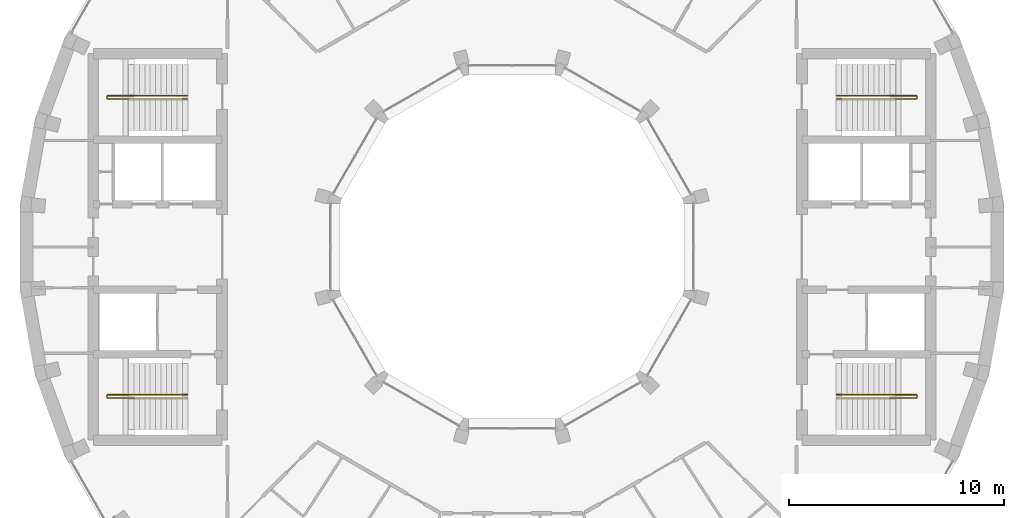
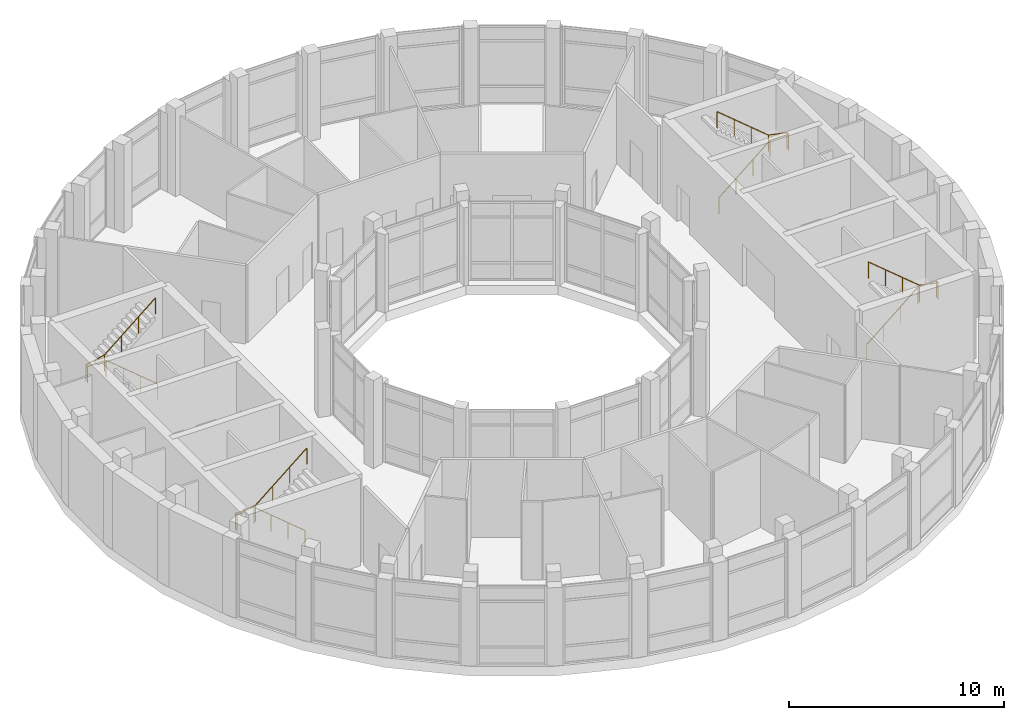
# One storey, part 16 of 16: 4 railings.
"""IFC4 building model written with IfcOpenShell, lengths in metres."""

import ifcopenshell
import ifcopenshell.guid

model = None  # the IFC model being written
_history = None  # IfcOwnerHistory: only IFC2X3 demands one
_inside = {}  # id of a spatial element -> (the spatial element, [elements in it])
_under = {}  # id of a project, library or spatial element -> (it, [spatial elements below it])
_declared = {}  # id of a project -> (the project, [libraries it declares])
_typed = {}  # id of a type object -> (the type object, [elements of that type])
_made_of = {}  # id of a material, layer set ... -> (it, [elements and type objects made of it])


def new_model(schema):
    """Start an empty IFC model of exactly this schema.

    Asked for "IFC4X3", IfcOpenShell would pick the latest addendum, in which some entities
    have other attributes; the version numbers below select the first issue.
    IFC2X3 requires an IfcOwnerHistory on every rooted entity: one is made here for all.
    """
    global model, _history
    if schema == "IFC4X3":
        model = ifcopenshell.file(schema_version=(4, 3, 0, 0))
    else:
        model = ifcopenshell.file(schema=schema)
    _inside.clear()
    _under.clear()
    _declared.clear()
    _typed.clear()
    _made_of.clear()
    _history = None
    if model.schema == "IFC2X3":
        org = make("IfcOrganization", Name="unknown")
        user = make(
            "IfcPersonAndOrganization",
            ThePerson=make("IfcPerson", FamilyName="unknown"),
            TheOrganization=org,
        )
        app = make(
            "IfcApplication",
            ApplicationDeveloper=org,
            Version="unknown",
            ApplicationFullName="unknown",
            ApplicationIdentifier="unknown",
        )
        _history = make(
            "IfcOwnerHistory",
            OwningUser=user,
            OwningApplication=app,
            ChangeAction="ADDED",
            CreationDate=0,
        )
    return model


def make(cls, **values):
    """One entity of the class cls with the attributes given. An attribute that is None is left unset."""
    return model.create_entity(
        cls, **{name: value for name, value in values.items() if value is not None}
    )


def rooted(cls, **values):
    """An entity with a GlobalId (a new one), such as an element, a storey or a relation."""
    return make(cls, GlobalId=ifcopenshell.guid.new(), OwnerHistory=_history, **values)


def si_unit(unit_type, name, prefix=None):
    """IfcSIUnit, for example si_unit("LENGTHUNIT", "METRE", prefix="MILLI")."""
    return make("IfcSIUnit", UnitType=unit_type, Prefix=prefix, Name=name)


def assignment(units):
    """IfcUnitAssignment: the units of a project."""
    return None if units is None else make("IfcUnitAssignment", Units=units)


def point(xyz):
    """IfcCartesianPoint."""
    return None if xyz is None else make("IfcCartesianPoint", Coordinates=xyz)


def direction(xyz):
    """IfcDirection."""
    return None if xyz is None else make("IfcDirection", DirectionRatios=xyz)


def frame(location, z_axis=None, x_axis=None):
    """IfcAxis2Placement3D, a coordinate frame: its origin and axes. An axis left out is left unset."""
    return make(
        "IfcAxis2Placement3D",
        Location=point(location),
        Axis=direction(z_axis),
        RefDirection=direction(x_axis),
    )


def frame_2d(location, x_axis=None):
    """IfcAxis2Placement2D, a coordinate frame in the plane: its origin and x axis."""
    return make(
        "IfcAxis2Placement2D", Location=point(location), RefDirection=direction(x_axis)
    )


def origin():
    """The frame at (0, 0, 0) with its axes left unset."""
    return frame((0.0, 0.0, 0.0))


def origin_2d():
    """The frame at (0, 0) in the plane with its x axis left unset."""
    return frame_2d((0.0, 0.0))


def place(relative_to, where):
    """IfcLocalPlacement: puts the frame where relative to a parent placement (None: the world)."""
    return make(
        "IfcLocalPlacement", PlacementRelTo=relative_to, RelativePlacement=where
    )


def context(
    kind, dimensions, precision=None, world=None, true_north=None, identifier=None
):
    """IfcGeometricRepresentationContext, for example the 3D "Model" context."""
    return make(
        "IfcGeometricRepresentationContext",
        ContextIdentifier=identifier,
        ContextType=kind,
        CoordinateSpaceDimension=dimensions,
        Precision=precision,
        WorldCoordinateSystem=world,
        TrueNorth=true_north,
    )


def subcontext(parent, identifier, kind, view, scale=None):
    """IfcGeometricRepresentationSubContext, for example "Body" below "Model"."""
    return make(
        "IfcGeometricRepresentationSubContext",
        ContextIdentifier=identifier,
        ContextType=kind,
        ParentContext=parent,
        TargetScale=scale,
        TargetView=view,
    )


def project(units=None, contexts=None):
    """IfcProject with its units and contexts."""
    return rooted(
        "IfcProject",
        Name="project",
        RepresentationContexts=contexts,
        UnitsInContext=assignment(units),
    )


def spatial(cls, under=None, at=None, **own):
    """A site, building, storey or space (cls), placed at a placement, below another one or the project."""
    s = rooted(cls, ObjectPlacement=at, **own)
    if under is not None:
        _under.setdefault(under.id(), (under, []))[1].append(s)
    return s


def profile(cls, at=None, kind="AREA", **sizes):
    """A parametric profile (cls). Its sizes go by their IFC names, for example OverallWidth=200.0."""
    return make(cls, ProfileType=kind, Position=at, **sizes)


def circle(**sizes):
    """IfcCircleProfileDef."""
    return profile("IfcCircleProfileDef", **sizes)


def extrude(swept, where, along, depth):
    """IfcExtrudedAreaSolid: the profile swept, set in the frame where, extruded along a direction by depth."""
    return make(
        "IfcExtrudedAreaSolid",
        SweptArea=swept,
        Position=where,
        ExtrudedDirection=direction(along),
        Depth=depth,
    )


def shape(context_of_items, identifier, shape_type, items):
    """IfcShapeRepresentation: the items that make up one representation, for example the "Body"."""
    return make(
        "IfcShapeRepresentation",
        ContextOfItems=context_of_items,
        RepresentationIdentifier=identifier,
        RepresentationType=shape_type,
        Items=items,
    )


def material(Name=None, Category=None):
    """IfcMaterial."""
    return make("IfcMaterial", Name=Name, Category=Category)


def made_of(thing, what):
    """Note that an element or type object is made of a material, layer set ...; save() writes the relation."""
    if what is not None:
        _made_of.setdefault(what.id(), (what, []))[1].append(thing)
    return thing


def type_object(cls, material=None, **own):
    """A type object (cls), such as IfcWallType, which elements share."""
    return made_of(rooted(cls, **own), material)


def element(
    cls,
    number,
    at=None,
    inside=None,
    cuts=None,
    type_object=None,
    material=None,
    context=None,
    identifier="Body",
    shape_type=None,
    held_by="IfcProductDefinitionShape",
    body=None,
    shapes=None,
    **own,
):
    """One element of the class cls, such as IfcWall. Its Tag is "e" and its number.

    at: its placement. inside: the storey or other place that contains it. cuts: it is an
    opening in that element (IfcRelVoidsElement). A single representation is given by context,
    identifier, shape_type and body (its items); several are given by shapes. held_by: the class
    of the entity that holds the representations. save() writes the other relations.
    """
    e = rooted(cls, Tag="e%d" % number, ObjectPlacement=at, **own)
    if body is not None:
        shapes = [shape(context, identifier, shape_type, body)]
    if shapes is not None:
        e.Representation = make(held_by, Representations=shapes)
    if inside is not None:
        _inside.setdefault(inside.id(), (inside, []))[1].append(e)
    if cuts is not None:
        rooted(
            "IfcRelVoidsElement", RelatingBuildingElement=cuts, RelatedOpeningElement=e
        )
    if type_object is not None:
        _typed.setdefault(type_object.id(), (type_object, []))[1].append(e)
    return made_of(e, material)


def aggregate(whole, parts):
    """IfcRelAggregates: a whole, such as a stair, and the parts it consists of."""
    return rooted("IfcRelAggregates", RelatingObject=whole, RelatedObjects=parts)


def save(model, path):
    """Write the relations noted so far, then the file.

    IfcRelAggregates (storeys below a building ...), IfcRelContainedInSpatialStructure (elements
    in a storey), IfcRelDefinesByType, IfcRelAssociatesMaterial and IfcRelDeclares: one each for
    every whole, place, type object, material and project.
    """
    for whole, parts in _under.values():
        aggregate(whole, parts)
    for where, things in _inside.values():
        rooted(
            "IfcRelContainedInSpatialStructure",
            RelatedElements=things,
            RelatingStructure=where,
        )
    for kind, things in _typed.values():
        rooted("IfcRelDefinesByType", RelatedObjects=things, RelatingType=kind)
    for what, things in _made_of.values():
        rooted("IfcRelAssociatesMaterial", RelatedObjects=things, RelatingMaterial=what)
    for by, libraries in _declared.values():
        rooted("IfcRelDeclares", RelatingContext=by, RelatedDefinitions=libraries)
    model.write(path)


model = new_model("IFC4")

# Units and contexts
model_context = context("Model", 3, precision=1e-05, world=origin(), true_north=direction((0.0, 1.0)))
body_context = subcontext(model_context, "Body", "Model", "MODEL_VIEW")
ifc_project = project(units=[si_unit("LENGTHUNIT", "METRE"), si_unit("AREAUNIT", "SQUARE_METRE"), si_unit("VOLUMEUNIT", "CUBIC_METRE"), si_unit("PLANEANGLEUNIT", "RADIAN"), si_unit("MASSUNIT", "GRAM", prefix="KILO")], contexts=[model_context])

# Site, building, storey
site_placement = place(None, origin())
site = spatial("IfcSite", under=ifc_project, at=site_placement, CompositionType="ELEMENT")
building_placement = place(site_placement, origin())
building = spatial("IfcBuilding", under=site, at=building_placement, Name="Saqina Gate Tower", CompositionType="ELEMENT")
storey_placement = place(building_placement, frame((0.0, 0.0, 279.199951171875)))
storey = spatial("IfcBuildingStorey", under=building, at=storey_placement, Name="L80", CompositionType="ELEMENT", Elevation=279.199951171875)

# Railings
ifc_material = material(Name="Stainless steel", Category="steel")
railing_type = type_object("IfcRailingType", Name="STAIR HANDRAIL", PredefinedType="HANDRAIL", material=ifc_material)
railing_1_placement = place(storey_placement, frame((15.10009765625, 6.88330078125, 0.20849609375)))
element("IfcRailing", 1, at=railing_1_placement, inside=storey, type_object=railing_type, Name="EXIT STAIR 1 HANDRAIL", PredefinedType="HANDRAIL", context=body_context, shape_type="SweptSolid", body=[
    extrude(circle(Radius=0.02392578125, at=origin_2d()), frame((0.0, 0.0, 0.92578125), z_axis=(0.768243640915, 0.0, 0.64015756513), x_axis=(0.0, 1.0, 0.0)), (0.0, 0.0, 1.0), 3.57958984375),
    extrude(circle(Radius=0.02392578125, at=origin_2d()), frame((2.75, 0.0, 3.21728515625), z_axis=(1.0, 0.0, 0.0), x_axis=(0.0, 1.0, 0.0)), (0.0, 0.0, 1.0), 1.0),
    extrude(circle(Radius=0.02392578125, at=origin_2d()), frame((3.75, 0.0, 3.21728515625), z_axis=(0.0, 1.0, 0.0), x_axis=(-1.0, 0.0, 0.0)), (0.0, 0.0, 1.0), 0.158447265625),
    extrude(circle(Radius=0.02392578125, at=origin_2d()), frame((3.75, 0.158447265625, 3.21728515625), z_axis=(-0.978948594034, 0.0, 0.204106957838), x_axis=(0.0, -1.0, 0.0)), (0.0, 0.0, 1.0), 1.021484375),
    extrude(circle(Radius=0.02392578125, at=origin_2d()), frame((2.75, 0.158447265625, 3.42578125), z_axis=(-0.768243640915, 0.0, 0.64015756513), x_axis=(0.0, -1.0, 0.0)), (0.0, 0.0, 1.0), 3.57958984375),
    extrude(circle(Radius=0.02099609375, at=origin_2d()), origin(), (0.0, 0.0, 1.0), 0.90185546875),
    extrude(circle(Radius=0.02099609375, at=origin_2d()), frame((0.916748046875, 0.0, 0.763916015625)), (0.0, 0.0, 1.0), 0.90185546875),
    extrude(circle(Radius=0.02099609375, at=origin_2d()), frame((1.833251953125, 0.0, 1.527587890625)), (0.0, 0.0, 1.0), 0.90185546875),
    extrude(circle(Radius=0.02099609375, at=origin_2d()), frame((2.75, 0.0, 2.29150390625)), (0.0, 0.0, 1.0), 0.90185546875),
    extrude(circle(Radius=0.02099609375, at=origin_2d()), frame((3.75, 0.0, 2.29150390625)), (0.0, 0.0, 1.0), 0.90185546875),
    extrude(circle(Radius=0.02099609375, at=origin_2d()), frame((3.75, 0.158447265625, 2.29150390625)), (0.0, 0.0, 1.0), 0.90185546875),
    extrude(circle(Radius=0.02099609375, at=origin_2d()), frame((2.75, 0.158447265625, 2.5)), (0.0, 0.0, 1.0), 0.90185546875),
    extrude(circle(Radius=0.02099609375, at=origin_2d()), frame((1.833251953125, 0.158447265625, 3.263916015625)), (0.0, 0.0, 1.0), 0.90185546875),
    extrude(circle(Radius=0.02099609375, at=origin_2d()), frame((0.916748046875, 0.158447265625, 4.027587890625)), (0.0, 0.0, 1.0), 0.90185546875),
    extrude(circle(Radius=0.02099609375, at=origin_2d()), frame((0.0, 0.158447265625, 4.79150390625)), (0.0, 0.0, 1.0), 0.90185546875),
])
railing_2_placement = place(storey_placement, frame((15.10009765625, -6.88330078125, 0.20849609375)))
element("IfcRailing", 2, at=railing_2_placement, inside=storey, type_object=railing_type, Name="EXIT STAIR 2 HANDRAIL", PredefinedType="HANDRAIL", context=body_context, shape_type="SweptSolid", body=[
    extrude(circle(Radius=0.02392578125, at=origin_2d()), frame((0.0, 0.0, 0.92578125), z_axis=(0.768243640915, 0.0, 0.64015756513), x_axis=(0.0, 1.0, 0.0)), (0.0, 0.0, 1.0), 3.57958984375),
    extrude(circle(Radius=0.02392578125, at=origin_2d()), frame((2.75, 0.0, 3.21728515625), z_axis=(1.0, 0.0, 0.0), x_axis=(0.0, 1.0, 0.0)), (0.0, 0.0, 1.0), 1.0),
    extrude(circle(Radius=0.02392578125, at=origin_2d()), frame((3.75, 0.0, 3.21728515625), z_axis=(0.0, -1.0, 0.0), x_axis=(1.0, 0.0, 0.0)), (0.0, 0.0, 1.0), 0.158447265625),
    extrude(circle(Radius=0.02392578125, at=origin_2d()), frame((3.75, -0.158447265625, 3.21728515625), z_axis=(-0.978948594034, 0.0, 0.204106957838), x_axis=(0.0, -1.0, 0.0)), (0.0, 0.0, 1.0), 1.021484375),
    extrude(circle(Radius=0.02392578125, at=origin_2d()), frame((2.75, -0.158447265625, 3.42578125), z_axis=(-0.768243640915, 0.0, 0.64015756513), x_axis=(0.0, -1.0, 0.0)), (0.0, 0.0, 1.0), 3.57958984375),
    extrude(circle(Radius=0.02099609375, at=origin_2d()), origin(), (0.0, 0.0, 1.0), 0.90185546875),
    extrude(circle(Radius=0.02099609375, at=origin_2d()), frame((0.916748046875, 0.0, 0.763916015625)), (0.0, 0.0, 1.0), 0.90185546875),
    extrude(circle(Radius=0.02099609375, at=origin_2d()), frame((1.833251953125, 0.0, 1.527587890625)), (0.0, 0.0, 1.0), 0.90185546875),
    extrude(circle(Radius=0.02099609375, at=origin_2d()), frame((2.75, 0.0, 2.29150390625)), (0.0, 0.0, 1.0), 0.90185546875),
    extrude(circle(Radius=0.02099609375, at=origin_2d()), frame((3.75, 0.0, 2.29150390625)), (0.0, 0.0, 1.0), 0.90185546875),
    extrude(circle(Radius=0.02099609375, at=origin_2d()), frame((3.75, -0.158447265625, 2.29150390625)), (0.0, 0.0, 1.0), 0.90185546875),
    extrude(circle(Radius=0.02099609375, at=origin_2d()), frame((2.75, -0.158447265625, 2.5)), (0.0, 0.0, 1.0), 0.90185546875),
    extrude(circle(Radius=0.02099609375, at=origin_2d()), frame((1.833251953125, -0.158447265625, 3.263916015625)), (0.0, 0.0, 1.0), 0.90185546875),
    extrude(circle(Radius=0.02099609375, at=origin_2d()), frame((0.916748046875, -0.158447265625, 4.027587890625)), (0.0, 0.0, 1.0), 0.90185546875),
    extrude(circle(Radius=0.02099609375, at=origin_2d()), frame((0.0, -0.158447265625, 4.79150390625)), (0.0, 0.0, 1.0), 0.90185546875),
])
railing_3_placement = place(storey_placement, frame((-15.10009765625, 6.88330078125, 0.20849609375)))
element("IfcRailing", 3, at=railing_3_placement, inside=storey, type_object=railing_type, Name="EXIT STAIR 3 HANDRAIL", PredefinedType="HANDRAIL", context=body_context, shape_type="SweptSolid", body=[
    extrude(circle(Radius=0.02392578125, at=origin_2d()), frame((0.0, 0.0, 0.92578125), z_axis=(-0.768243640915, 0.0, 0.64015756513), x_axis=(0.0, -1.0, 0.0)), (0.0, 0.0, 1.0), 3.57958984375),
    extrude(circle(Radius=0.02392578125, at=origin_2d()), frame((-2.75, 0.0, 3.21728515625), z_axis=(-1.0, 0.0, 0.0), x_axis=(0.0, -1.0, 0.0)), (0.0, 0.0, 1.0), 1.0),
    extrude(circle(Radius=0.02392578125, at=origin_2d()), frame((-3.75, 0.0, 3.21728515625), z_axis=(0.0, 1.0, 0.0), x_axis=(-1.0, 0.0, 0.0)), (0.0, 0.0, 1.0), 0.158447265625),
    extrude(circle(Radius=0.02392578125, at=origin_2d()), frame((-3.75, 0.158447265625, 3.21728515625), z_axis=(0.978948594034, 0.0, 0.204106957838), x_axis=(0.0, 1.0, 0.0)), (0.0, 0.0, 1.0), 1.021484375),
    extrude(circle(Radius=0.02392578125, at=origin_2d()), frame((-2.75, 0.158447265625, 3.42578125), z_axis=(0.768243640915, 0.0, 0.64015756513), x_axis=(0.0, 1.0, 0.0)), (0.0, 0.0, 1.0), 3.57958984375),
    extrude(circle(Radius=0.02099609375, at=origin_2d()), origin(), (0.0, 0.0, 1.0), 0.90185546875),
    extrude(circle(Radius=0.02099609375, at=origin_2d()), frame((-0.916748046875, 0.0, 0.763916015625)), (0.0, 0.0, 1.0), 0.90185546875),
    extrude(circle(Radius=0.02099609375, at=origin_2d()), frame((-1.833251953125, 0.0, 1.527587890625)), (0.0, 0.0, 1.0), 0.90185546875),
    extrude(circle(Radius=0.02099609375, at=origin_2d()), frame((-2.75, 0.0, 2.29150390625)), (0.0, 0.0, 1.0), 0.90185546875),
    extrude(circle(Radius=0.02099609375, at=origin_2d()), frame((-3.75, 0.0, 2.29150390625)), (0.0, 0.0, 1.0), 0.90185546875),
    extrude(circle(Radius=0.02099609375, at=origin_2d()), frame((-3.75, 0.158447265625, 2.29150390625)), (0.0, 0.0, 1.0), 0.90185546875),
    extrude(circle(Radius=0.02099609375, at=origin_2d()), frame((-2.75, 0.158447265625, 2.5)), (0.0, 0.0, 1.0), 0.90185546875),
    extrude(circle(Radius=0.02099609375, at=origin_2d()), frame((-1.833251953125, 0.158447265625, 3.263916015625)), (0.0, 0.0, 1.0), 0.90185546875),
    extrude(circle(Radius=0.02099609375, at=origin_2d()), frame((-0.916748046875, 0.158447265625, 4.027587890625)), (0.0, 0.0, 1.0), 0.90185546875),
    extrude(circle(Radius=0.02099609375, at=origin_2d()), frame((0.0, 0.158447265625, 4.79150390625)), (0.0, 0.0, 1.0), 0.90185546875),
])
railing_4_placement = place(storey_placement, frame((-15.10009765625, -6.88330078125, 0.20849609375)))
element("IfcRailing", 4, at=railing_4_placement, inside=storey, type_object=railing_type, Name="EXIT STAIR 4 HANDRAIL", PredefinedType="HANDRAIL", context=body_context, shape_type="SweptSolid", body=[
    extrude(circle(Radius=0.02392578125, at=origin_2d()), frame((0.0, 0.0, 0.92578125), z_axis=(-0.768243640915, 0.0, 0.64015756513), x_axis=(0.0, -1.0, 0.0)), (0.0, 0.0, 1.0), 3.57958984375),
    extrude(circle(Radius=0.02392578125, at=origin_2d()), frame((-2.75, 0.0, 3.21728515625), z_axis=(-1.0, 0.0, 0.0), x_axis=(0.0, -1.0, 0.0)), (0.0, 0.0, 1.0), 1.0),
    extrude(circle(Radius=0.02392578125, at=origin_2d()), frame((-3.75, 0.0, 3.21728515625), z_axis=(0.0, -1.0, 0.0), x_axis=(1.0, 0.0, 0.0)), (0.0, 0.0, 1.0), 0.158447265625),
    extrude(circle(Radius=0.02392578125, at=origin_2d()), frame((-3.75, -0.158447265625, 3.21728515625), z_axis=(0.978948594034, 0.0, 0.204106957838), x_axis=(0.0, 1.0, 0.0)), (0.0, 0.0, 1.0), 1.021484375),
    extrude(circle(Radius=0.02392578125, at=origin_2d()), frame((-2.75, -0.158447265625, 3.42578125), z_axis=(0.768243640915, 0.0, 0.64015756513), x_axis=(0.0, 1.0, 0.0)), (0.0, 0.0, 1.0), 3.57958984375),
    extrude(circle(Radius=0.02099609375, at=origin_2d()), origin(), (0.0, 0.0, 1.0), 0.90185546875),
    extrude(circle(Radius=0.02099609375, at=origin_2d()), frame((-0.916748046875, 0.0, 0.763916015625)), (0.0, 0.0, 1.0), 0.90185546875),
    extrude(circle(Radius=0.02099609375, at=origin_2d()), frame((-1.833251953125, 0.0, 1.527587890625)), (0.0, 0.0, 1.0), 0.90185546875),
    extrude(circle(Radius=0.02099609375, at=origin_2d()), frame((-2.75, 0.0, 2.29150390625)), (0.0, 0.0, 1.0), 0.90185546875),
    extrude(circle(Radius=0.02099609375, at=origin_2d()), frame((-3.75, 0.0, 2.29150390625)), (0.0, 0.0, 1.0), 0.90185546875),
    extrude(circle(Radius=0.02099609375, at=origin_2d()), frame((-3.75, -0.158447265625, 2.29150390625)), (0.0, 0.0, 1.0), 0.90185546875),
    extrude(circle(Radius=0.02099609375, at=origin_2d()), frame((-2.75, -0.158447265625, 2.5)), (0.0, 0.0, 1.0), 0.90185546875),
    extrude(circle(Radius=0.02099609375, at=origin_2d()), frame((-1.833251953125, -0.158447265625, 3.263916015625)), (0.0, 0.0, 1.0), 0.90185546875),
    extrude(circle(Radius=0.02099609375, at=origin_2d()), frame((-0.916748046875, -0.158447265625, 4.027587890625)), (0.0, 0.0, 1.0), 0.90185546875),
    extrude(circle(Radius=0.02099609375, at=origin_2d()), frame((0.0, -0.158447265625, 4.79150390625)), (0.0, 0.0, 1.0), 0.90185546875),
])

save(model, "model.ifc")
